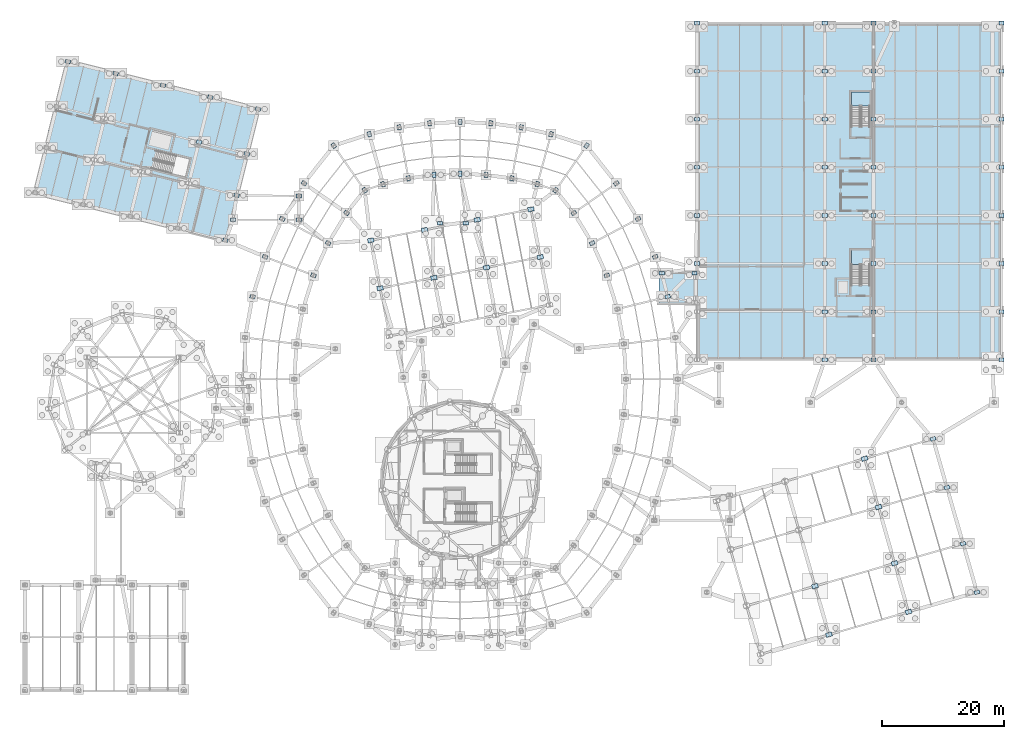
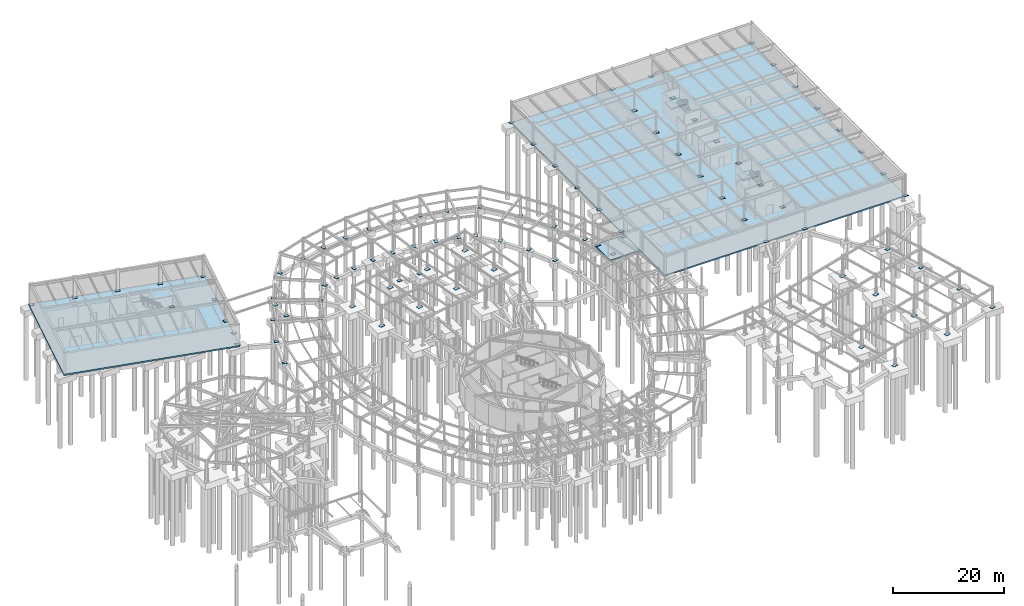
# One storey, part 38 of 50: 96 plates, 5 slabs, 2 elements without a shape of their own.
"""IFC4 building model written with IfcOpenShell, lengths in metres."""

from ifc_helpers import new_model, si_unit, direction, frame, origin, origin_2d, place, context, subcontext, project, spatial, polyline, rectangle, outline, extrude, material, layer, layer_set, type_object, element, aggregate, save


model = new_model("IFC4")

# Units and contexts
model_context = context("Model", 3, precision=1e-05, world=origin(), true_north=direction((0.0, 1.0)))
body_context = subcontext(model_context, "Body", "Model", "MODEL_VIEW")
ifc_project = project(units=[si_unit("LENGTHUNIT", "METRE"), si_unit("AREAUNIT", "SQUARE_METRE"), si_unit("VOLUMEUNIT", "CUBIC_METRE"), si_unit("PLANEANGLEUNIT", "RADIAN"), si_unit("MASSUNIT", "GRAM", prefix="KILO")], contexts=[model_context])

# Site, building, storey
site_placement = place(None, origin())
site = spatial("IfcSite", under=ifc_project, at=site_placement, CompositionType="ELEMENT")
building_placement = place(site_placement, origin())
building = spatial("IfcBuilding", under=site, at=building_placement, Name="Varnklinge Art Gallery", CompositionType="ELEMENT")
storey_placement = place(building_placement, frame((0.0, 0.0, -4.800048828125)))
storey = spatial("IfcBuildingStorey", under=building, at=storey_placement, Name="B01", CompositionType="ELEMENT", Elevation=-4.800048828125)

# Plates
ifc_material_1 = material(Name="Steel S355", Category="steel")
ifc_layer_1 = layer(ifc_material_1, 0.050048828125)
ifc_layer_set_1 = layer_set([ifc_layer_1], Name="Steel S355")
plate_type_1 = type_object("IfcPlateType", Name="PLT-BP2", PredefinedType="SHEET", material=ifc_layer_set_1)
for number, where, z_axis, x_axis, name in (
    (1, (114.39990234375, 74.0, 0.0), (0.0, 0.0, 1.0), (1.0, 0.0, 0.0), "B01 Column Base Plate V1C-1-3"),
    (2, (114.39990234375, 81.89990234375, 0.0), (0.0, 0.0, 1.0), (1.0, 0.0, 0.0), "B01 Column Base Plate V1C-1-4"),
    (3, (114.39990234375, 89.800048828125, 0.0), (0.0, 0.0, 1.0), (1.0, 0.0, 0.0), "B01 Column Base Plate V1C-1-5"),
    (4, (114.39990234375, 97.699951171875, 0.0), (0.0, 0.0, 1.0), (1.0, 0.0, 0.0), "B01 Column Base Plate V1C-1-6"),
    (5, (114.39990234375, 105.60009765625, 0.0), (0.0, 0.0, 1.0), (1.0, 0.0, 0.0), "B01 Column Base Plate V1C-1-7"),
    (6, (114.39990234375, 113.5, 0.0), (0.0, 0.0, 1.0), (1.0, 0.0, 0.0), "B01 Column Base Plate V1C-1-8"),
    (7, (135.39990234375, 58.199951171875, 0.0), (0.0, 0.0, 1.0), (1.0, 0.0, 0.0), "B01 Column Base Plate V1C-2-1"),
    (8, (135.39990234375, 66.10009765625, 0.0), (0.0, 0.0, 1.0), (1.0, 0.0, 0.0), "B01 Column Base Plate V1C-2-2"),
    (9, (135.39990234375, 74.0, 0.0), (0.0, 0.0, 1.0), (1.0, 0.0, 0.0), "B01 Column Base Plate V1C-2-3"),
    (10, (135.39990234375, 81.89990234375, 0.0), (0.0, 0.0, 1.0), (1.0, 0.0, 0.0), "B01 Column Base Plate V1C-2-4"),
    (11, (135.39990234375, 89.800048828125, 0.0), (0.0, 0.0, 1.0), (1.0, 0.0, 0.0), "B01 Column Base Plate V1C-2-5"),
    (12, (135.39990234375, 97.699951171875, 0.0), (0.0, 0.0, 1.0), (1.0, 0.0, 0.0), "B01 Column Base Plate V1C-2-6"),
    (13, (135.39990234375, 105.60009765625, 0.0), (0.0, 0.0, 1.0), (1.0, 0.0, 0.0), "B01 Column Base Plate V1C-2-7"),
    (14, (135.39990234375, 113.5, 0.0), (0.0, 0.0, 1.0), (1.0, 0.0, 0.0), "B01 Column Base Plate V1C-2-8"),
    (15, (143.39990234375, 58.199951171875, 0.0), (0.0, 0.0, 1.0), (1.0, 0.0, 0.0), "B01 Column Base Plate V1C-3-1"),
    (16, (143.39990234375, 66.10009765625, 0.0), (0.0, 0.0, 1.0), (1.0, 0.0, 0.0), "B01 Column Base Plate V1C-3-2"),
    (17, (143.39990234375, 74.0, 0.0), (0.0, 0.0, 1.0), (1.0, 0.0, 0.0), "B01 Column Base Plate V1C-3-3"),
    (18, (143.39990234375, 81.89990234375, 0.0), (0.0, 0.0, 1.0), (1.0, 0.0, 0.0), "B01 Column Base Plate V1C-3-4"),
    (19, (143.39990234375, 89.800048828125, 0.0), (0.0, 0.0, 1.0), (1.0, 0.0, 0.0), "B01 Column Base Plate V1C-3-5"),
    (20, (143.39990234375, 97.699951171875, 0.0), (0.0, 0.0, 1.0), (1.0, 0.0, 0.0), "B01 Column Base Plate V1C-3-6"),
    (21, (143.39990234375, 105.60009765625, 0.0), (0.0, 0.0, 1.0), (1.0, 0.0, 0.0), "B01 Column Base Plate V1C-3-7"),
    (22, (143.39990234375, 113.5, 0.0), (0.0, 0.0, 1.0), (1.0, 0.0, 0.0), "B01 Column Base Plate V1C-3-8"),
    (23, (164.39990234375, 58.199951171875, 0.0), (0.0, 0.0, 1.0), (1.0, 0.0, 0.0), "B01 Column Base Plate V1C-4-1"),
    (24, (164.39990234375, 66.10009765625, 0.0), (0.0, 0.0, 1.0), (1.0, 0.0, 0.0), "B01 Column Base Plate V1C-4-2"),
    (25, (164.39990234375, 74.0, 0.0), (0.0, 0.0, 1.0), (1.0, 0.0, 0.0), "B01 Column Base Plate V1C-4-3"),
    (26, (164.39990234375, 81.89990234375, 0.0), (0.0, 0.0, 1.0), (1.0, 0.0, 0.0), "B01 Column Base Plate V1C-4-4"),
    (27, (164.39990234375, 89.800048828125, 0.0), (0.0, 0.0, 1.0), (1.0, 0.0, 0.0), "B01 Column Base Plate V1C-4-5"),
    (28, (164.39990234375, 97.699951171875, 0.0), (0.0, 0.0, 1.0), (1.0, 0.0, 0.0), "B01 Column Base Plate V1C-4-6"),
    (29, (164.39990234375, 105.60009765625, 0.0), (0.0, 0.0, 1.0), (1.0, 0.0, 0.0), "B01 Column Base Plate V1C-4-7"),
    (30, (164.39990234375, 113.5, 0.0), (0.0, 0.0, 1.0), (1.0, 0.0, 0.0), "B01 Column Base Plate V1C-4-8"),
    (31, (109.598388671875, 68.56591796875, 0.0), (0.0, 0.0, 1.0), (-0.970506473469, -0.241075060833, 0.0), "B01 Column Base Plate V2CO-09"),
    (32, (107.54638671875, 75.09716796875, 0.0), (0.0, 0.0, 1.0), (-0.934017558691, -0.357227098715, 0.0), "B01 Column Base Plate V2CO-10"),
    (33, (99.59130859375, 72.0546875, 0.0), (0.0, 0.0, 1.0), (-0.934017558691, -0.357227098715, 0.0), "B01 Column Base Plate V2CI-10"),
    (34, (104.71630859375, 81.3310546875, 0.0), (0.0, 0.0, 1.0), (-0.883683947469, -0.468084053333, 0.0), "B01 Column Base Plate V2CO-11"),
    (35, (97.189697265625, 77.344482421875, 0.0), (0.0, 0.0, 1.0), (-0.883683947469, -0.468084053333, 0.0), "B01 Column Base Plate V2CI-11"),
    (36, (101.14990234375, 87.1748046875, 0.0), (0.0, 0.0, 1.0), (-0.820351542489, -0.571859551582, 0.0), "B01 Column Base Plate V2CO-12"),
    (37, (94.1630859375, 82.3037109375, 0.0), (0.0, 0.0, 1.0), (-0.820351542489, -0.571859551582, 0.0), "B01 Column Base Plate V2CI-12"),
    (38, (96.27099609375, 93.35986328125, 0.0), (0.0, 0.0, 1.0), (-0.570570241419, -0.821248804935, 0.0), "B01 Column Base Plate V2CO-13"),
    (39, (91.185791015625, 86.041015625, 0.0), (0.0, 0.0, 1.0), (-0.570570241419, -0.821248804935, 0.0), "B01 Column Base Plate V2CI-13"),
    (40, (90.4296875, 95.2373046875, 0.0), (0.0, 0.0, 1.0), (-0.265387847052, -0.964141737836, 0.0), "B01 Column Base Plate V2CO-14"),
    (41, (88.17138671875, 87.033203125, 0.0), (0.0, 0.0, 1.0), (-0.265387847052, -0.964141737836, 0.0), "B01 Column Base Plate V2CI-14"),
    (42, (85.520263671875, 96.35498046875, 0.0), (0.0, 0.0, 1.0), (-0.178115290264, -0.984009625651, 0.0), "B01 Column Base Plate V2CO-15"),
    (43, (84.00439453125, 87.981689453125, 0.0), (0.0, 0.0, 1.0), (-0.178115290264, -0.984009625651, 0.0), "B01 Column Base Plate V2CI-15"),
    (44, (80.5302734375, 97.029296875, 0.0), (0.0, 0.0, 1.0), (-0.089415810539, -0.995994383933, 0.0), "B01 Column Base Plate V2CO-16"),
    (45, (79.769287109375, 88.55419921875, 0.0), (0.0, 0.0, 1.0), (-0.089415810539, -0.995994383933, 0.0), "B01 Column Base Plate V2CI-16"),
    (46, (75.5, 97.254638671875, 0.0), (0.0, 0.0, 1.0), (0.0, -1.0, 0.0), "B01 Column Base Plate V2CO-17"),
    (47, (75.5, 88.745361328125, 0.0), (0.0, 0.0, 1.0), (0.0, -1.0, 0.0), "B01 Column Base Plate V2CI-17"),
    (48, (70.4697265625, 97.029296875, 0.0), (0.0, 0.0, 1.0), (0.089415810539, -0.995994383933, 0.0), "B01 Column Base Plate V2CO-18"),
    (49, (71.230712890625, 88.55419921875, 0.0), (0.0, 0.0, 1.0), (0.089415810539, -0.995994383933, 0.0), "B01 Column Base Plate V2CI-18"),
    (50, (65.479736328125, 96.35498046875, 0.0), (0.0, 0.0, 1.0), (0.178115290264, -0.984009625651, 0.0), "B01 Column Base Plate V2CO-19"),
    (51, (66.99560546875, 87.981689453125, 0.0), (0.0, 0.0, 1.0), (0.178115290264, -0.984009625651, 0.0), "B01 Column Base Plate V2CI-19"),
    (52, (60.5703125, 95.2373046875, 0.0), (0.0, 0.0, 1.0), (0.265387847052, -0.964141737836, 0.0), "B01 Column Base Plate V2CO-20"),
    (53, (62.82861328125, 87.033203125, 0.0), (0.0, 0.0, 1.0), (0.265387847052, -0.964141737836, 0.0), "B01 Column Base Plate V2CI-20"),
    (54, (54.72900390625, 93.35986328125, 0.0), (0.0, 0.0, 1.0), (0.570570241419, -0.821248804935, 0.0), "B01 Column Base Plate V2CO-21"),
    (55, (59.814208984375, 86.041015625, 0.0), (0.0, 0.0, 1.0), (0.570570241419, -0.821248804935, 0.0), "B01 Column Base Plate V2CI-21"),
    (56, (49.85009765625, 87.1748046875, 0.0), (0.0, 0.0, 1.0), (0.820351542489, -0.571859551582, 0.0), "B01 Column Base Plate V2CO-22"),
    (57, (56.8369140625, 82.3037109375, 0.0), (0.0, 0.0, 1.0), (0.820351542489, -0.571859551582, 0.0), "B01 Column Base Plate V2CI-22"),
    (58, (46.28369140625, 81.3310546875, 0.0), (0.0, 0.0, 1.0), (0.883683947469, -0.468084053333, 0.0), "B01 Column Base Plate V2CO-23"),
    (59, (53.810302734375, 77.344482421875, 0.0), (0.0, 0.0, 1.0), (0.883683947469, -0.468084053333, 0.0), "B01 Column Base Plate V2CI-23"),
    (60, (43.45361328125, 75.09716796875, 0.0), (0.0, 0.0, 1.0), (0.934017558691, -0.357227098715, 0.0), "B01 Column Base Plate V2CO-24"),
    (61, (51.40869140625, 72.0546875, 0.0), (0.0, 0.0, 1.0), (0.934017558691, -0.357227098715, 0.0), "B01 Column Base Plate V2CI-24"),
    (62, (41.401611328125, 68.56591796875, 0.0), (0.0, 0.0, 1.0), (0.970506473469, -0.241075060833, 0.0), "B01 Column Base Plate V2CO-25"),
    (63, (11.063720703125, 107.165283203125, 0.0), (0.0, 0.0, 1.0), (0.970295726276, -0.2419218956, 0.0), "B01 Column Base Plate V5C-1-4"),
    (64, (18.923095703125, 105.205810546875, 0.0), (0.0, 0.0, 1.0), (0.970295726276, -0.2419218956, 0.0), "B01 Column Base Plate V5C-2-4"),
    (65, (26.685302734375, 103.270263671875, 0.0), (0.0, 0.0, 1.0), (0.970295726276, -0.2419218956, 0.0), "B01 Column Base Plate V5C-3-4"),
    (66, (32.609130859375, 93.960693359375, 0.0), (0.0, 0.0, 1.0), (0.970295726276, -0.2419218956, 0.0), "B01 Column Base Plate V5C-4-3"),
    (67, (34.44775390625, 101.3349609375, 0.0), (0.0, 0.0, 1.0), (0.970295726276, -0.2419218956, 0.0), "B01 Column Base Plate V5C-4-4"),
    (68, (36.936279296875, 77.834716796875, 0.0), (0.0, 0.0, 1.0), (0.970295726276, -0.2419218956, 0.0), "B01 Column Base Plate V5C-5-1"),
    (69, (38.77490234375, 85.208984375, 0.0), (0.0, 0.0, 1.0), (0.970295726276, -0.2419218956, 0.0), "B01 Column Base Plate V5C-5-2"),
    (70, (40.468505859375, 92.001220703125, 0.0), (0.0, 0.0, 1.0), (0.970295726276, -0.2419218956, 0.0), "B01 Column Base Plate V5C-5-3"),
    (71, (42.30712890625, 99.375244140625, 0.0), (0.0, 0.0, 1.0), (0.970295726276, -0.2419218956, 0.0), "B01 Column Base Plate V5C-5-4"),
    (72, (160.394287109375, 20.0068359375, 0.0), (0.0, 0.0, 1.0), (0.961261695938, 0.275637355817, 0.0), "B01 Column Base Plate V6C-4-1"),
    (73, (158.1064453125, 27.985107421875, 0.0), (0.0, 0.0, 1.0), (0.961261695938, 0.275637355817, 0.0), "B01 Column Base Plate V6C-4-2"),
    (74, (155.460205078125, 37.21337890625, 0.0), (0.0, 0.0, 1.0), (0.961261695938, 0.275637355817, 0.0), "B01 Column Base Plate V6C-4-3"),
    (75, (153.172607421875, 45.19189453125, 0.0), (0.0, 0.0, 1.0), (0.961261695938, 0.275637355817, 0.0), "B01 Column Base Plate V6C-4-4"),
    (76, (114.0, 72.39990234375, 0.0), (0.0, 0.0, 1.0), (1.0, 0.0, 0.0), "B01 Column Base Plate LNK-V1-C3"),
    (77, (108.60009765625, 72.39990234375, 0.0), (0.0, 0.0, 1.0), (1.0, 0.0, 0.0), "B01 Column Base Plate LNK-V1-C4"),
    (78, (72.199951171875, 80.60009765625, 0.0), (0.0, 0.0, 1.0), (1.0, 0.0, 0.0), "B01 Column Base Plate LNK-V4N-C1"),
    (79, (76.39990234375, 80.60009765625, 0.0), (0.0, 0.0, 1.0), (1.0, 0.0, 0.0), "B01 Column Base Plate LNK-V4N-C2"),
    (80, (38.199951171875, 81.199951171875, 0.0), (0.0, 0.0, 1.0), (1.0, 0.0, 0.0), "B01 Column Base Plate LNK-V5-C1"),
    (81, (49.0, 81.199951171875, 0.0), (0.0, 0.0, 1.0), (1.0, 0.0, 0.0), "B01 Column Base Plate LNK-V5-C2"),
    (82, (49.0, 85.10009765625, 0.0), (0.0, 0.0, 1.0), (1.0, 0.0, 0.0), "B01 Column Base Plate LNK-V5-C3"),
):
    element("IfcPlate", number, at=place(storey_placement, frame(where, z_axis=z_axis, x_axis=x_axis)), inside=storey, type_object=plate_type_1, Name=name, PredefinedType="SHEET", context=body_context, shape_type="SweptSolid", body=[
        extrude(rectangle(XDim=0.860107421875, YDim=0.60009765625, at=origin_2d()), origin(), (0.0, 0.0, 1.0), 0.050048828125),
    ])
ifc_material_2 = material(Name="Steel S355", Category="steel")
ifc_layer_2 = layer(ifc_material_2, 0.06005859375)
ifc_layer_set_2 = layer_set([ifc_layer_2], Name="Steel S355")
plate_type_2 = type_object("IfcPlateType", Name="PLT-BP3", PredefinedType="SHEET", material=ifc_layer_set_2)
for number, where, z_axis, x_axis, name in (
    (83, (62.34619140625, 69.943115234375, 0.0), (0.0, 0.0, 1.0), (0.981627183448, 0.190808995377, 0.0), "B01 Column Base Plate V4BC-1-2"),
    (84, (60.819580078125, 77.796142578125, 0.0), (0.0, 0.0, 1.0), (0.981627183448, 0.190808995377, 0.0), "B01 Column Base Plate V4BC-1-3"),
    (85, (71.180908203125, 71.660400390625, 0.0), (0.0, 0.0, 1.0), (0.981627183448, 0.190808995377, 0.0), "B01 Column Base Plate V4BC-2-2"),
    (86, (69.654296875, 79.513427734375, 0.0), (0.0, 0.0, 1.0), (0.981627183448, 0.190808995377, 0.0), "B01 Column Base Plate V4BC-2-3"),
    (87, (79.819091796875, 73.339599609375, 0.0), (0.0, 0.0, 1.0), (0.981627183448, 0.190808995377, 0.0), "B01 Column Base Plate V4BC-3-2"),
    (88, (78.292724609375, 81.192626953125, 0.0), (0.0, 0.0, 1.0), (0.981627183448, 0.190808995377, 0.0), "B01 Column Base Plate V4BC-3-3"),
    (89, (88.65380859375, 75.056884765625, 0.0), (0.0, 0.0, 1.0), (0.981627183448, 0.190808995377, 0.0), "B01 Column Base Plate V4BC-4-2"),
    (90, (87.127197265625, 82.909912109375, 0.0), (0.0, 0.0, 1.0), (0.981627183448, 0.190808995377, 0.0), "B01 Column Base Plate V4BC-4-3"),
    (91, (136.07421875, 13.033203125, 0.0), (0.0, 0.0, 1.0), (0.961261695938, 0.275637355817, 0.0), "B01 Column Base Plate V6C-2-1"),
    (92, (133.78662109375, 21.01171875, 0.0), (0.0, 0.0, 1.0), (0.961261695938, 0.275637355817, 0.0), "B01 Column Base Plate V6C-2-2"),
    (93, (149.1474609375, 16.78173828125, 0.0), (0.0, 0.0, 1.0), (0.961261695938, 0.275637355817, 0.0), "B01 Column Base Plate V6C-3-1"),
    (94, (146.859619140625, 24.76025390625, 0.0), (0.0, 0.0, 1.0), (0.961261695938, 0.275637355817, 0.0), "B01 Column Base Plate V6C-3-2"),
    (95, (144.21337890625, 33.98828125, 0.0), (0.0, 0.0, 1.0), (0.961261695938, 0.275637355817, 0.0), "B01 Column Base Plate V6C-3-3"),
    (96, (141.92578125, 41.966796875, 0.0), (0.0, 0.0, 1.0), (0.961261695938, 0.275637355817, 0.0), "B01 Column Base Plate V6C-3-4"),
):
    element("IfcPlate", number, at=place(storey_placement, frame(where, z_axis=z_axis, x_axis=x_axis)), inside=storey, type_object=plate_type_2, Name=name, PredefinedType="SHEET", context=body_context, shape_type="SweptSolid", body=[
        extrude(rectangle(XDim=1.0, YDim=0.699951171875, at=origin_2d()), origin(), (0.0, 0.0, 1.0), 0.06005859375),
    ])

# Slabs
ifc_material_3 = material(Name="Concrete C35/45", Category="concrete")
ifc_layer_3 = layer(ifc_material_3, 0.300048828125)
ifc_layer_set_3 = layer_set([ifc_layer_3], Name="Concrete C35/45")
slab_type_1 = type_object("IfcSlabType", Name="SLB-BASE30", PredefinedType="BASESLAB", material=ifc_layer_set_3)
slab_1_placement = place(storey_placement, frame((0.0, 0.0, -0.300048828125)))
element("IfcSlab", 97, at=slab_1_placement, inside=storey, type_object=slab_type_1, Name="B01 Shell Hall Base Slab", PredefinedType="BASESLAB", context=body_context, shape_type="SweptSolid", body=[
    extrude(outline(polyline([(164.39990234375, 58.199951171875), (164.39990234375, 113.5), (114.39990234375, 113.5), (114.39990234375, 58.199951171875), (164.39990234375, 58.199951171875)])), origin(), (0.0, 0.0, 1.0), 0.300048828125),
])
slab_2_placement = place(storey_placement, frame((0.0, 0.0, -0.300048828125)))
element("IfcSlab", 98, at=slab_2_placement, inside=storey, type_object=slab_type_1, Name="B01 Conservation Vault Base Slab", PredefinedType="BASESLAB", context=body_context, shape_type="SweptSolid", body=[
    extrude(outline(polyline([(37.227783203125, 77.349853515625), (42.7919921875, 99.666748046875), (10.772216796875, 107.650146484375), (5.2080078125, 85.333251953125), (37.227783203125, 77.349853515625)])), origin(), (0.0, 0.0, 1.0), 0.300048828125),
])
slab_3_placement = place(storey_placement, frame((0.0, 0.0, -0.300048828125)))
element("IfcSlab", 99, at=slab_3_placement, inside=storey, type_object=slab_type_1, Name="B01 LNK-V1 Link Base Slab", PredefinedType="BASESLAB", context=body_context, shape_type="SweptSolid", body=[
    extrude(outline(polyline([(114.39990234375, 72.800048828125), (108.199951171875, 72.800048828125), (108.199951171875, 67.199951171875), (114.39990234375, 67.199951171875), (114.39990234375, 72.800048828125)])), origin(), (0.0, 0.0, 1.0), 0.300048828125),
])

# Stair, slab
ifc_material_4 = material(Name="Concrete C40/50", Category="concrete")
stair_type = type_object("IfcStairType", Name="STR-C4800", PredefinedType="HALF_TURN_STAIR", material=ifc_material_4)
stair_1_placement = place(storey_placement, origin())
stair_1 = element("IfcStair", 100, at=stair_1_placement, inside=storey, type_object=stair_type, Name="B01 Core C3 Stair ST-03", PredefinedType="HALF_TURN_STAIR")
ifc_material_5 = material(Name="Concrete C40/50", Category="concrete")
ifc_layer_4 = layer(ifc_material_5, 0.199951171875)
ifc_layer_set_4 = layer_set([ifc_layer_4], Name="Concrete C40/50")
slab_type_2 = type_object("IfcSlabType", Name="SLB-LND20", PredefinedType="LANDING", material=ifc_layer_set_4)
slab_4_placement = place(storey_placement, frame((0.0, 0.0, 2.199951171875)))
slab_4 = element("IfcSlab", 101, at=slab_4_placement, type_object=slab_type_2, Name="ST-03 landing 1", PredefinedType="LANDING", context=body_context, shape_type="SweptSolid", body=[
    extrude(outline(polyline([(142.800048828125, 73.85009765625), (142.800048828125, 76.199951171875), (139.739990234375, 76.199951171875), (139.739990234375, 73.85009765625), (142.800048828125, 73.85009765625)])), origin(), (0.0, 0.0, 1.0), 0.2001953125),
])
aggregate(stair_1, [slab_4])

stair_2_placement = place(storey_placement, origin())
stair_2 = element("IfcStair", 102, at=stair_2_placement, inside=storey, type_object=stair_type, Name="B01 Core C7 Stair ST-07", PredefinedType="HALF_TURN_STAIR")
slab_5_placement = place(storey_placement, frame((0.0, 0.0, 2.199951171875)))
slab_5 = element("IfcSlab", 103, at=slab_5_placement, type_object=slab_type_2, Name="ST-07 landing 1", PredefinedType="LANDING", context=body_context, shape_type="SweptSolid", body=[
    extrude(outline(polyline([(142.800048828125, 99.85009765625), (142.800048828125, 102.199951171875), (139.739990234375, 102.199951171875), (139.739990234375, 99.85009765625), (142.800048828125, 99.85009765625)])), origin(), (0.0, 0.0, 1.0), 0.2001953125),
])
aggregate(stair_2, [slab_5])

save(model, "model.ifc")
